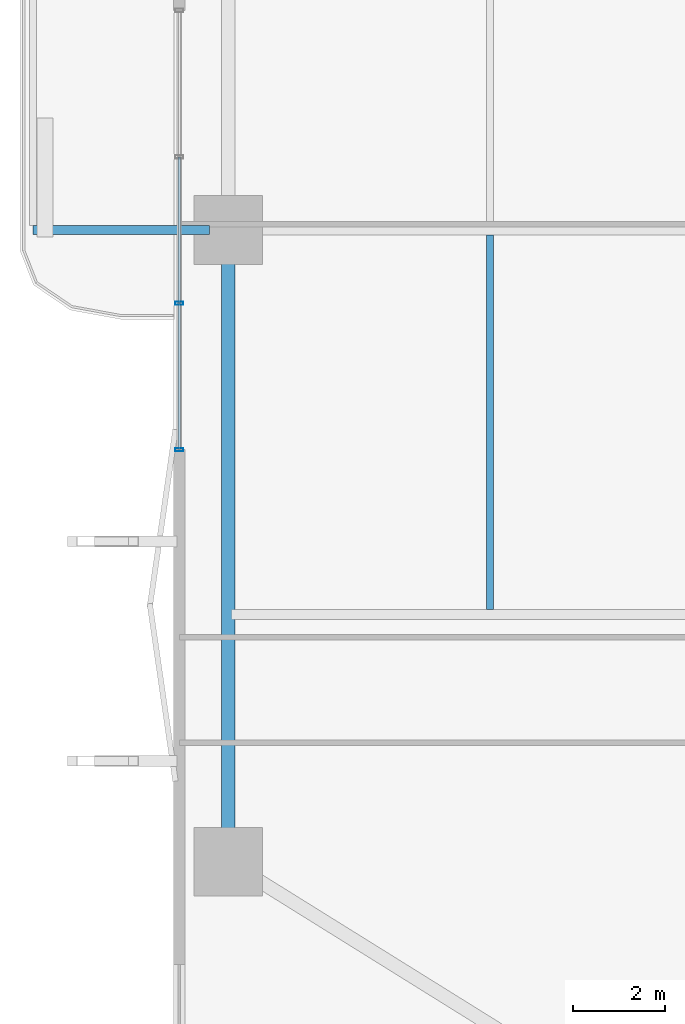
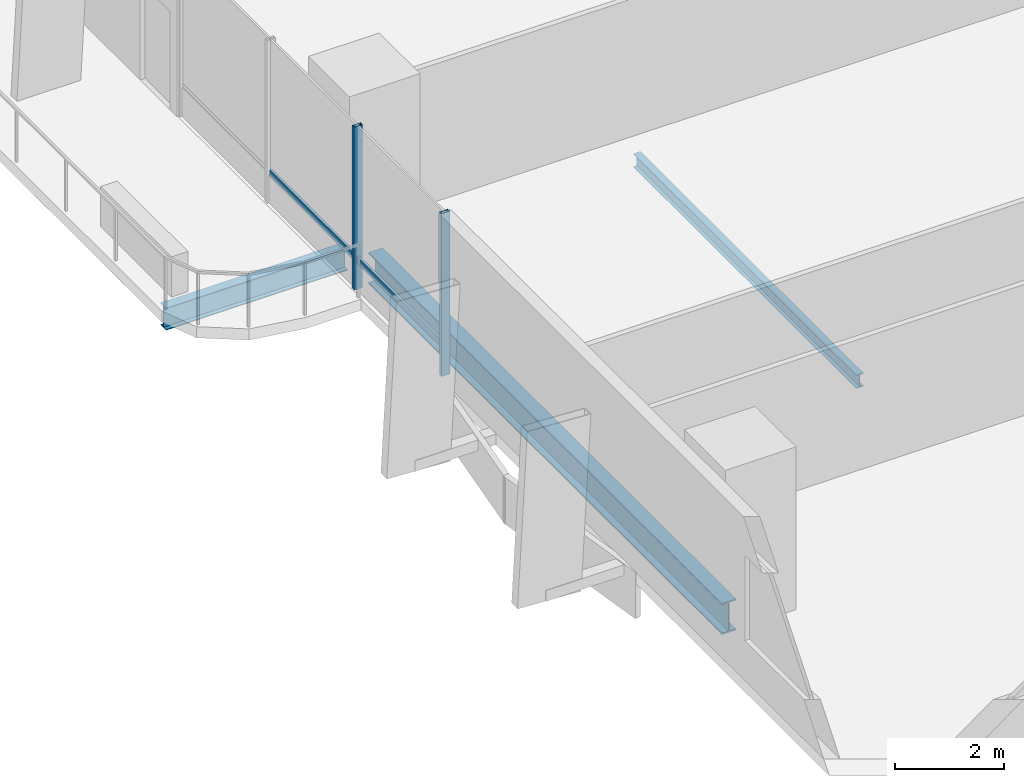
# One storey, part 4 of 23: 4 members, 3 beams, 1 element without a shape of its own.
"""IFC4 building model written with IfcOpenShell, lengths in metres."""

import ifcopenshell
import ifcopenshell.guid

model = None  # the IFC model being written
_history = None  # IfcOwnerHistory: only IFC2X3 demands one
_inside = {}  # id of a spatial element -> (the spatial element, [elements in it])
_under = {}  # id of a project, library or spatial element -> (it, [spatial elements below it])
_declared = {}  # id of a project -> (the project, [libraries it declares])
_typed = {}  # id of a type object -> (the type object, [elements of that type])
_made_of = {}  # id of a material, layer set ... -> (it, [elements and type objects made of it])


def new_model(schema):
    """Start an empty IFC model of exactly this schema.

    Asked for "IFC4X3", IfcOpenShell would pick the latest addendum, in which some entities
    have other attributes; the version numbers below select the first issue.
    IFC2X3 requires an IfcOwnerHistory on every rooted entity: one is made here for all.
    """
    global model, _history
    if schema == "IFC4X3":
        model = ifcopenshell.file(schema_version=(4, 3, 0, 0))
    else:
        model = ifcopenshell.file(schema=schema)
    _inside.clear()
    _under.clear()
    _declared.clear()
    _typed.clear()
    _made_of.clear()
    _history = None
    if model.schema == "IFC2X3":
        org = make("IfcOrganization", Name="unknown")
        user = make(
            "IfcPersonAndOrganization",
            ThePerson=make("IfcPerson", FamilyName="unknown"),
            TheOrganization=org,
        )
        app = make(
            "IfcApplication",
            ApplicationDeveloper=org,
            Version="unknown",
            ApplicationFullName="unknown",
            ApplicationIdentifier="unknown",
        )
        _history = make(
            "IfcOwnerHistory",
            OwningUser=user,
            OwningApplication=app,
            ChangeAction="ADDED",
            CreationDate=0,
        )
    return model


def make(cls, **values):
    """One entity of the class cls with the attributes given. An attribute that is None is left unset."""
    return model.create_entity(
        cls, **{name: value for name, value in values.items() if value is not None}
    )


def rooted(cls, **values):
    """An entity with a GlobalId (a new one), such as an element, a storey or a relation."""
    return make(cls, GlobalId=ifcopenshell.guid.new(), OwnerHistory=_history, **values)


def si_unit(unit_type, name, prefix=None):
    """IfcSIUnit, for example si_unit("LENGTHUNIT", "METRE", prefix="MILLI")."""
    return make("IfcSIUnit", UnitType=unit_type, Prefix=prefix, Name=name)


def assignment(units):
    """IfcUnitAssignment: the units of a project."""
    return None if units is None else make("IfcUnitAssignment", Units=units)


def point(xyz):
    """IfcCartesianPoint."""
    return None if xyz is None else make("IfcCartesianPoint", Coordinates=xyz)


def direction(xyz):
    """IfcDirection."""
    return None if xyz is None else make("IfcDirection", DirectionRatios=xyz)


def frame(location, z_axis=None, x_axis=None):
    """IfcAxis2Placement3D, a coordinate frame: its origin and axes. An axis left out is left unset."""
    return make(
        "IfcAxis2Placement3D",
        Location=point(location),
        Axis=direction(z_axis),
        RefDirection=direction(x_axis),
    )


def frame_2d(location, x_axis=None):
    """IfcAxis2Placement2D, a coordinate frame in the plane: its origin and x axis."""
    return make(
        "IfcAxis2Placement2D", Location=point(location), RefDirection=direction(x_axis)
    )


def origin():
    """The frame at (0, 0, 0) with its axes left unset."""
    return frame((0.0, 0.0, 0.0))


def origin_2d():
    """The frame at (0, 0) in the plane with its x axis left unset."""
    return frame_2d((0.0, 0.0))


def place(relative_to, where):
    """IfcLocalPlacement: puts the frame where relative to a parent placement (None: the world)."""
    return make(
        "IfcLocalPlacement", PlacementRelTo=relative_to, RelativePlacement=where
    )


def context(
    kind, dimensions, precision=None, world=None, true_north=None, identifier=None
):
    """IfcGeometricRepresentationContext, for example the 3D "Model" context."""
    return make(
        "IfcGeometricRepresentationContext",
        ContextIdentifier=identifier,
        ContextType=kind,
        CoordinateSpaceDimension=dimensions,
        Precision=precision,
        WorldCoordinateSystem=world,
        TrueNorth=true_north,
    )


def subcontext(parent, identifier, kind, view, scale=None):
    """IfcGeometricRepresentationSubContext, for example "Body" below "Model"."""
    return make(
        "IfcGeometricRepresentationSubContext",
        ContextIdentifier=identifier,
        ContextType=kind,
        ParentContext=parent,
        TargetScale=scale,
        TargetView=view,
    )


def project(units=None, contexts=None):
    """IfcProject with its units and contexts."""
    return rooted(
        "IfcProject",
        Name="project",
        RepresentationContexts=contexts,
        UnitsInContext=assignment(units),
    )


def spatial(cls, under=None, at=None, **own):
    """A site, building, storey or space (cls), placed at a placement, below another one or the project."""
    s = rooted(cls, ObjectPlacement=at, **own)
    if under is not None:
        _under.setdefault(under.id(), (under, []))[1].append(s)
    return s


def profile(cls, at=None, kind="AREA", **sizes):
    """A parametric profile (cls). Its sizes go by their IFC names, for example OverallWidth=200.0."""
    return make(cls, ProfileType=kind, Position=at, **sizes)


def hollow_rectangle(**sizes):
    """IfcRectangleHollowProfileDef."""
    return profile("IfcRectangleHollowProfileDef", **sizes)


def i_section(**sizes):
    """IfcIShapeProfileDef."""
    return profile("IfcIShapeProfileDef", **sizes)


def extrude(swept, where, along, depth):
    """IfcExtrudedAreaSolid: the profile swept, set in the frame where, extruded along a direction by depth."""
    return make(
        "IfcExtrudedAreaSolid",
        SweptArea=swept,
        Position=where,
        ExtrudedDirection=direction(along),
        Depth=depth,
    )


def shape(context_of_items, identifier, shape_type, items):
    """IfcShapeRepresentation: the items that make up one representation, for example the "Body"."""
    return make(
        "IfcShapeRepresentation",
        ContextOfItems=context_of_items,
        RepresentationIdentifier=identifier,
        RepresentationType=shape_type,
        Items=items,
    )


def material(Name=None, Category=None):
    """IfcMaterial."""
    return make("IfcMaterial", Name=Name, Category=Category)


def layer(
    of_material, thickness, ventilated=None, Name=None, Category=None, Priority=None
):
    """IfcMaterialLayer: one layer of a wall or slab, of a material (None: an air gap)."""
    return make(
        "IfcMaterialLayer",
        Material=of_material,
        LayerThickness=thickness,
        IsVentilated=ventilated,
        Name=Name,
        Category=Category,
        Priority=Priority,
    )


def layer_set(layers, Name=None):
    """IfcMaterialLayerSet."""
    return make("IfcMaterialLayerSet", MaterialLayers=layers, LayerSetName=Name)


def material_profile(
    of_material, cross_section, Name=None, Category=None, Priority=None
):
    """IfcMaterialProfile: a cross section and its material."""
    return make(
        "IfcMaterialProfile",
        Name=Name,
        Material=of_material,
        Profile=cross_section,
        Priority=Priority,
        Category=Category,
    )


def profile_set(profiles, Name=None, composite=None):
    """IfcMaterialProfileSet."""
    return make(
        "IfcMaterialProfileSet",
        Name=Name,
        MaterialProfiles=profiles,
        CompositeProfile=composite,
    )


def made_of(thing, what):
    """Note that an element or type object is made of a material, layer set ...; save() writes the relation."""
    if what is not None:
        _made_of.setdefault(what.id(), (what, []))[1].append(thing)
    return thing


def type_object(cls, material=None, **own):
    """A type object (cls), such as IfcWallType, which elements share."""
    return made_of(rooted(cls, **own), material)


def element(
    cls,
    number,
    at=None,
    inside=None,
    cuts=None,
    type_object=None,
    material=None,
    context=None,
    identifier="Body",
    shape_type=None,
    held_by="IfcProductDefinitionShape",
    body=None,
    shapes=None,
    **own,
):
    """One element of the class cls, such as IfcWall. Its Tag is "e" and its number.

    at: its placement. inside: the storey or other place that contains it. cuts: it is an
    opening in that element (IfcRelVoidsElement). A single representation is given by context,
    identifier, shape_type and body (its items); several are given by shapes. held_by: the class
    of the entity that holds the representations. save() writes the other relations.
    """
    e = rooted(cls, Tag="e%d" % number, ObjectPlacement=at, **own)
    if body is not None:
        shapes = [shape(context, identifier, shape_type, body)]
    if shapes is not None:
        e.Representation = make(held_by, Representations=shapes)
    if inside is not None:
        _inside.setdefault(inside.id(), (inside, []))[1].append(e)
    if cuts is not None:
        rooted(
            "IfcRelVoidsElement", RelatingBuildingElement=cuts, RelatedOpeningElement=e
        )
    if type_object is not None:
        _typed.setdefault(type_object.id(), (type_object, []))[1].append(e)
    return made_of(e, material)


def aggregate(whole, parts):
    """IfcRelAggregates: a whole, such as a stair, and the parts it consists of."""
    return rooted("IfcRelAggregates", RelatingObject=whole, RelatedObjects=parts)


def save(model, path):
    """Write the relations noted so far, then the file.

    IfcRelAggregates (storeys below a building ...), IfcRelContainedInSpatialStructure (elements
    in a storey), IfcRelDefinesByType, IfcRelAssociatesMaterial and IfcRelDeclares: one each for
    every whole, place, type object, material and project.
    """
    for whole, parts in _under.values():
        aggregate(whole, parts)
    for where, things in _inside.values():
        rooted(
            "IfcRelContainedInSpatialStructure",
            RelatedElements=things,
            RelatingStructure=where,
        )
    for kind, things in _typed.values():
        rooted("IfcRelDefinesByType", RelatedObjects=things, RelatingType=kind)
    for what, things in _made_of.values():
        rooted("IfcRelAssociatesMaterial", RelatedObjects=things, RelatingMaterial=what)
    for by, libraries in _declared.values():
        rooted("IfcRelDeclares", RelatingContext=by, RelatedDefinitions=libraries)
    model.write(path)


model = new_model("IFC4")

# Units and contexts
model_context = context("Model", 3, precision=1e-05, world=origin(), true_north=direction((0.0, 1.0)))
body_context = subcontext(model_context, "Body", "Model", "MODEL_VIEW")
ifc_project = project(units=[si_unit("LENGTHUNIT", "METRE"), si_unit("AREAUNIT", "SQUARE_METRE"), si_unit("VOLUMEUNIT", "CUBIC_METRE"), si_unit("PLANEANGLEUNIT", "RADIAN"), si_unit("MASSUNIT", "GRAM", prefix="KILO")], contexts=[model_context])

# Site, building, storey
site_placement = place(None, origin())
site = spatial("IfcSite", under=ifc_project, at=site_placement, CompositionType="ELEMENT")
building_placement = place(site_placement, origin())
building = spatial("IfcBuilding", under=site, at=building_placement, Name="Belovzor Exchange Tower", CompositionType="ELEMENT")
storey_placement = place(building_placement, frame((0.0, 0.0, 65.10009765625)))
storey = spatial("IfcBuildingStorey", under=building, at=storey_placement, Name="L15", CompositionType="ELEMENT", Elevation=65.10009765625)

# Beams
ifc_material_1 = material(Name="Steel S355", Category="steel")
ifc_material_profile_1 = material_profile(ifc_material_1, i_section(OverallWidth=0.199951171875, OverallDepth=0.5, WebThickness=0.01025390625, FlangeThickness=0.01611328125, at=origin_2d()))
ifc_profile_set_1 = profile_set([ifc_material_profile_1], Name="Steel S355")
beam_type_1 = type_object("IfcBeamType", Name="Planted Balcony Cantilever Beam IPE 500", PredefinedType="BEAM", material=ifc_profile_set_1)
beam_1_placement = place(storey_placement, frame((1.68798828125, 28.800048828125, -0.5), z_axis=(-1.0, 0.0, 0.0), x_axis=(0.0, -1.0, 0.0)))
element("IfcBeam", 1, at=beam_1_placement, inside=storey, type_object=beam_type_1, Name="BC-500 Planted Balcony Cantilever Beam IPE 500", PredefinedType="BEAM", context=body_context, shape_type="SweptSolid", body=[
    extrude(i_section(OverallWidth=0.199951171875, OverallDepth=0.5, WebThickness=0.01025390625, FlangeThickness=0.01611328125, at=origin_2d()), origin(), (0.0, 0.0, 1.0), 3.85009765625),
])
ifc_material_2 = material(Name="Steel S355", Category="steel")
ifc_material_profile_2 = material_profile(ifc_material_2, i_section(OverallWidth=0.14990234375, OverallDepth=0.300048828125, WebThickness=0.007080078125, FlangeThickness=0.0107421875, at=origin_2d()))
ifc_profile_set_2 = profile_set([ifc_material_profile_2], Name="Steel S355")
beam_type_2 = type_object("IfcBeamType", Name="Secondary Trim Floor Joist IPE 300", PredefinedType="BEAM", material=ifc_profile_set_2)
beam_2_placement = place(storey_placement, frame((7.81494140625, 20.5048828125, -0.400146484375), z_axis=(0.0, 1.0, 0.0), x_axis=(-1.0, 0.0, 0.0)))
element("IfcBeam", 2, at=beam_2_placement, inside=storey, type_object=beam_type_2, Name="FJ-300 Secondary Trim Floor Joist IPE 300", PredefinedType="BEAM", context=body_context, shape_type="SweptSolid", body=[
    extrude(i_section(OverallWidth=0.14990234375, OverallDepth=0.300048828125, WebThickness=0.007080078125, FlangeThickness=0.0107421875, at=origin_2d()), origin(), (0.0, 0.0, 1.0), 8.190185546875),
])

# Curtain wall, members
ifc_material_3 = material(Name="Anodised Aluminium Framing", Category="aluminium")
ifc_layer = layer(ifc_material_3, 0.179931640625)
ifc_layer_set = layer_set([ifc_layer], Name="Anodised Aluminium Framing")
curtain_wall_type = type_object("IfcCurtainWallType", Name="Recessed Loggia Low-Iron Triple-Glazed Curtain Wall", PredefinedType="NOTDEFINED", material=ifc_layer_set)
curtain_wall_placement = place(storey_placement, origin())
curtain_wall = element("IfcCurtainWall", 3, at=curtain_wall_placement, inside=storey, type_object=curtain_wall_type, Name="CW3 Recessed Loggia Low-Iron Triple-Glazed Curtain Wall L15", PredefinedType="NOTDEFINED")
ifc_material_4 = material(Name="Steel S355", Category="steel")
ifc_material_profile_3 = material_profile(ifc_material_4, hollow_rectangle(XDim=0.074951171875, YDim=0.179931640625, WallThickness=0.0048828125, at=origin_2d()))
ifc_profile_set_3 = profile_set([ifc_material_profile_3], Name="Steel S355")
member_type_1 = type_object("IfcMemberType", Name="Thermally Broken Curtain Wall Mullion 180x75", PredefinedType="MULLION", material=ifc_profile_set_3)
member_1_placement = place(storey_placement, frame((1.030029296875, 24.0, 0.0), z_axis=(0.0, 0.0, 1.0), x_axis=(0.0, 1.0, 0.0)))
member_1 = element("IfcMember", 4, at=member_1_placement, type_object=member_type_1, Name="CW-M180 Curtain Wall Mullion 1", PredefinedType="MULLION", context=body_context, shape_type="SweptSolid", body=[
    extrude(hollow_rectangle(XDim=0.074951171875, YDim=0.179931640625, WallThickness=0.0048828125, at=origin_2d()), origin(), (0.0, 0.0, 1.0), 3.64990234375),
])
member_2_placement = place(storey_placement, frame((1.030029296875, 27.199951171875, 0.0), z_axis=(0.0, 0.0, 1.0), x_axis=(0.0, 1.0, 0.0)))
member_2 = element("IfcMember", 5, at=member_2_placement, type_object=member_type_1, Name="CW-M180 Curtain Wall Mullion 2", PredefinedType="MULLION", context=body_context, shape_type="SweptSolid", body=[
    extrude(hollow_rectangle(XDim=0.074951171875, YDim=0.179931640625, WallThickness=0.0048828125, at=origin_2d()), origin(), (0.0, 0.0, 1.0), 3.64990234375),
])
ifc_material_5 = material(Name="Steel S355", Category="steel")
ifc_material_profile_4 = material_profile(ifc_material_5, hollow_rectangle(XDim=0.06005859375, YDim=0.14990234375, WallThickness=0.00390625, at=origin_2d()))
ifc_profile_set_4 = profile_set([ifc_material_profile_4], Name="Steel S355")
member_type_2 = type_object("IfcMemberType", Name="Thermally Broken Curtain Wall Transom 150x60", PredefinedType="USERDEFINED", material=ifc_profile_set_4)
member_3_placement = place(storey_placement, frame((1.030029296875, 24.008056640625, 0.64990234375), z_axis=(0.0, 1.0, 0.0), x_axis=(-1.0, 0.0, 0.0)))
member_3 = element("IfcMember", 6, at=member_3_placement, type_object=member_type_2, Name="CW-T150 Curtain Wall Transom 1", ObjectType="TRANSOM", PredefinedType="USERDEFINED", context=body_context, shape_type="SweptSolid", body=[
    extrude(hollow_rectangle(XDim=0.06005859375, YDim=0.14990234375, WallThickness=0.00390625, at=origin_2d()), origin(), (0.0, 0.0, 1.0), 3.183837890625),
])
member_4_placement = place(storey_placement, frame((1.030029296875, 27.2080078125, 0.64990234375), z_axis=(0.0, 1.0, 0.0), x_axis=(-1.0, 0.0, 0.0)))
member_4 = element("IfcMember", 7, at=member_4_placement, type_object=member_type_2, Name="CW-T150 Curtain Wall Transom 2", ObjectType="TRANSOM", PredefinedType="USERDEFINED", context=body_context, shape_type="SweptSolid", body=[
    extrude(hollow_rectangle(XDim=0.06005859375, YDim=0.14990234375, WallThickness=0.00390625, at=origin_2d()), origin(), (0.0, 0.0, 1.0), 3.18408203125),
])
aggregate(curtain_wall, [member_1, member_2, member_3, member_4])

# Beam
ifc_material_6 = material(Name="Steel S355", Category="steel")
ifc_material_profile_5 = material_profile(ifc_material_6, i_section(OverallWidth=0.300048828125, OverallDepth=0.699951171875, WebThickness=0.01708984375, FlangeThickness=0.031982421875, at=origin_2d()))
ifc_profile_set_5 = profile_set([ifc_material_profile_5], Name="Steel S355")
beam_type_3 = type_object("IfcBeamType", Name="Zone 1 Primary Perimeter Girder HEB 700", PredefinedType="BEAM", material=ifc_profile_set_5)
beam_3_placement = place(storey_placement, frame((2.10009765625, 28.386962890625, -0.60009765625), z_axis=(0.0, -1.0, 0.0), x_axis=(1.0, 0.0, 0.0)))
element("IfcBeam", 8, at=beam_3_placement, inside=storey, type_object=beam_type_3, Name="FG-Z1 Zone 1 Primary Perimeter Girder HEB 700", PredefinedType="BEAM", context=body_context, shape_type="SweptSolid", body=[
    extrude(i_section(OverallWidth=0.300048828125, OverallDepth=0.699951171875, WebThickness=0.01708984375, FlangeThickness=0.031982421875, at=origin_2d()), origin(), (0.0, 0.0, 1.0), 12.974853515625),
])

save(model, "model.ifc")
